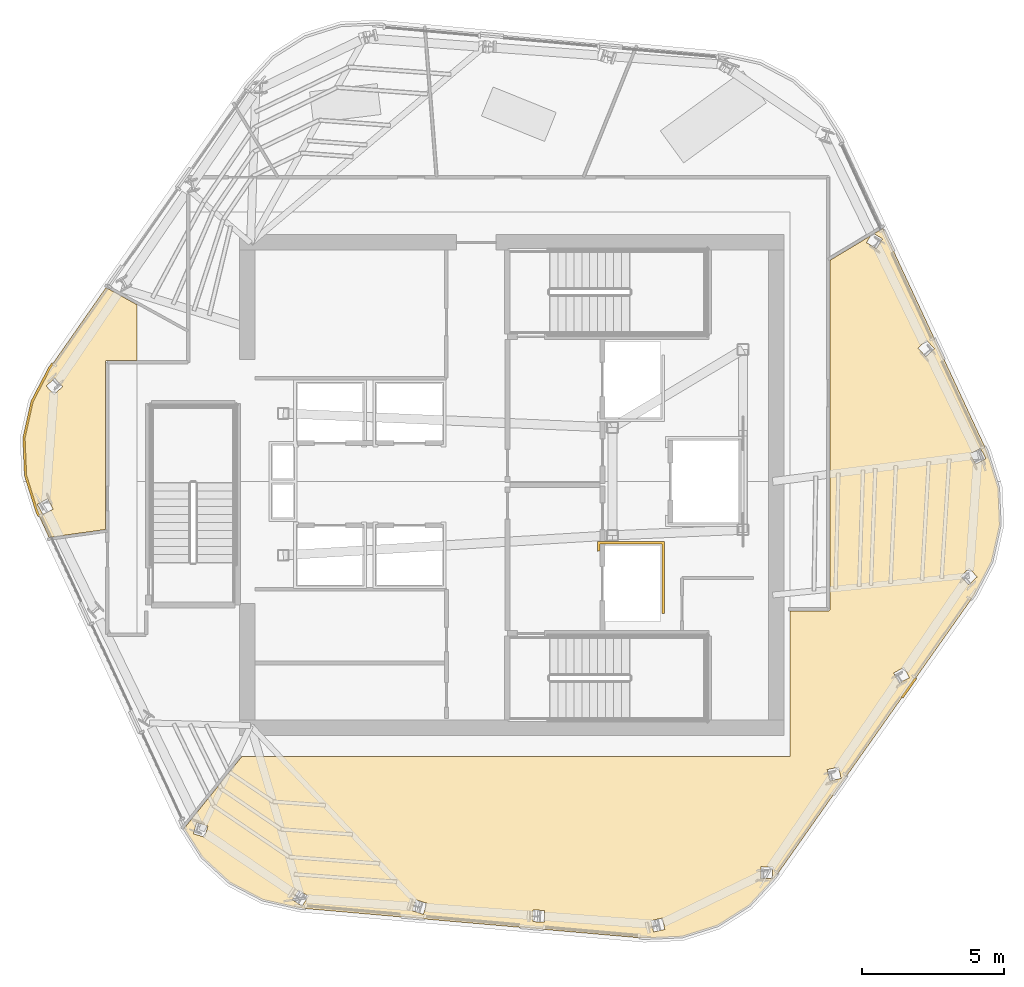
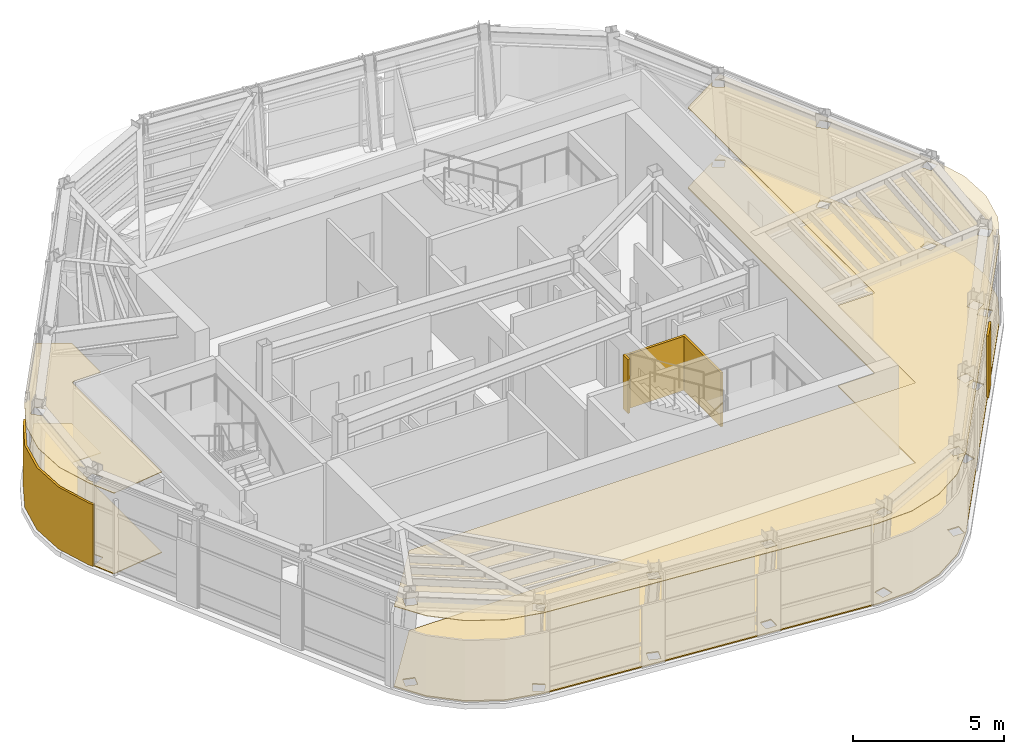
# One storey, part 9 of 12: 7 coverings.
"""IFC4 building model written with IfcOpenShell, lengths in metres."""

from ifc_helpers import new_model, si_unit, direction, frame, origin, place, context, subcontext, project, spatial, polyline, outline, extrude, material, layer, layer_set, type_object, element, save


model = new_model("IFC4")

# Units and contexts
model_context = context("Model", 3, precision=1e-05, world=origin(), true_north=direction((0.0, 1.0)))
body_context = subcontext(model_context, "Body", "Model", "MODEL_VIEW")
ifc_project = project(units=[si_unit("LENGTHUNIT", "METRE"), si_unit("AREAUNIT", "SQUARE_METRE"), si_unit("VOLUMEUNIT", "CUBIC_METRE"), si_unit("PLANEANGLEUNIT", "RADIAN"), si_unit("MASSUNIT", "GRAM", prefix="KILO")], contexts=[model_context])

# Site, building, storey
site_placement = place(None, origin())
site = spatial("IfcSite", under=ifc_project, at=site_placement, CompositionType="ELEMENT")
building_placement = place(site_placement, origin())
building = spatial("IfcBuilding", under=site, at=building_placement, Name="Valkerne Bourse Tower", CompositionType="ELEMENT")
storey_placement = place(building_placement, frame((0.0, 0.0, 262.199951171875)))
storey = spatial("IfcBuildingStorey", under=building, at=storey_placement, Name="L66", CompositionType="ELEMENT", Elevation=262.199951171875)

# Coverings
ifc_material_1 = material(Name="Mineral Fiber Acoustic Ceiling Tile", Category="acoustic")
ifc_layer_1 = layer(ifc_material_1, 0.02490234375)
ifc_layer_set_1 = layer_set([ifc_layer_1], Name="Mineral Fiber Acoustic Ceiling Tile")
covering_type_1 = type_object("IfcCoveringType", Name="COV-CEIL-ACT", PredefinedType="CEILING", material=ifc_layer_set_1)
covering_1_placement = place(storey_placement, frame((0.0, 0.0, 3.25)))
element("IfcCovering", 1, at=covering_1_placement, inside=storey, type_object=covering_type_1, Name="L66 Suspended Ceiling 03", PredefinedType="CEILING", context=body_context, shape_type="SweptSolid", body=[
    extrude(outline(polyline([(29.617919921875, 28.533447265625), (29.90576171875, 29.8212890625), (30.521484375, 30.9990234375), (32.5048828125, 33.830810546875), (32.964111328125, 33.577392578125), (32.97607421875, 33.5546875), (32.99072265625, 33.5625), (33.60009765625, 33.226318359375), (33.60009765625, 31.26904296875), (32.54931640625, 31.26904296875), (32.50927734375, 31.255859375), (32.485107421875, 31.2236328125), (32.48095703125, 25.30712890625), (30.49462890625, 25.029296875), (30.07080078125, 25.94677734375), (29.67333984375, 27.215087890625), (29.617919921875, 28.533447265625)]), holes=[polyline([(30.639892578125, 26.02392578125), (30.44970703125, 26.385498046875), (30.089599609375, 26.197021484375), (30.089599609375, 26.194580078125), (30.27978515625, 25.8330078125), (30.639892578125, 26.021484375), (30.639892578125, 26.02392578125)]), polyline([(30.974365234375, 30.34375), (30.69775390625, 30.6416015625), (30.397705078125, 30.3642578125), (30.397216796875, 30.36181640625), (30.673828125, 30.06396484375), (30.973876953125, 30.341552734375), (30.974365234375, 30.34375)])]), origin(), (0.0, 0.0, 1.0), 0.025146484375),
])
covering_2_placement = place(storey_placement, frame((0.0, 0.0, 3.25)))
element("IfcCovering", 2, at=covering_2_placement, inside=storey, type_object=covering_type_1, Name="L66 Suspended Ceiling 07", PredefinedType="CEILING", context=body_context, shape_type="SweptSolid", body=[
    extrude(outline(polyline([(63.71728515625, 24.1767578125), (63.101806640625, 22.9990234375), (56.076904296875, 13.038818359375), (55.177001953125, 12.060302734375), (54.06298828125, 11.353271484375), (52.8037109375, 10.95849609375), (51.475830078125, 10.903076171875), (39.333984375, 11.96630859375), (38.037109375, 12.25634765625), (36.86767578125, 12.86767578125), (35.896240234375, 13.7607421875), (35.255126953125, 14.77099609375), (37.2861328125, 17.300048828125), (56.60009765625, 17.300048828125), (56.60009765625, 22.430908203125), (57.95361328125, 22.43115234375), (57.9970703125, 22.44921875), (58.018798828125, 22.495361328125), (58.01904296875, 34.7939453125), (59.45458984375, 35.660888671875), (59.303955078125, 35.418701171875), (59.30517578125, 35.4169921875), (59.65234375, 35.20166015625), (59.8671875, 35.546875), (59.865966796875, 35.548583984375), (59.5712890625, 35.7314453125), (59.8837890625, 35.920166015625), (63.552490234375, 28.051025390625), (63.949951171875, 26.78271484375), (64.005126953125, 25.464599609375), (63.71728515625, 24.1767578125)]), holes=[polyline([(43.423095703125, 12.260009765625), (43.421142578125, 12.260498046875), (43.297119140625, 11.870361328125), (43.68408203125, 11.747314453125), (43.686279296875, 11.746826171875), (43.81005859375, 12.136962890625), (43.423095703125, 12.260009765625)]), polyline([(39.292724609375, 12.602294921875), (39.29052734375, 12.603515625), (39.07177734375, 12.257568359375), (39.41455078125, 12.040283203125), (39.416748046875, 12.039306640625), (39.635498046875, 12.38525390625), (39.292724609375, 12.602294921875)]), polyline([(36.09375, 14.855712890625), (35.703369140625, 14.976318359375), (35.5830078125, 14.587890625), (35.584716796875, 14.586181640625), (35.97509765625, 14.4658203125), (36.095703125, 14.854248046875), (36.09375, 14.855712890625)]), polyline([(52.197998046875, 11.214111328125), (52.10693359375, 11.61328125), (51.711181640625, 11.523193359375), (51.708984375, 11.5224609375), (51.800048828125, 11.123291015625), (52.19580078125, 11.21337890625), (52.197998046875, 11.214111328125)]), polyline([(47.964111328125, 11.8837890625), (47.558349609375, 11.897216796875), (47.55615234375, 11.89697265625), (47.54296875, 11.48779296875), (47.94873046875, 11.474609375), (47.950927734375, 11.474853515625), (47.964111328125, 11.8837890625)]), polyline([(56.002197265625, 13.4072265625), (55.59375, 13.42431640625), (55.591796875, 13.4228515625), (55.57568359375, 13.0166015625), (55.98388671875, 12.999755859375), (55.986083984375, 13.0009765625), (56.002197265625, 13.4072265625)]), polyline([(58.408203125, 16.536376953125), (58.32080078125, 16.933349609375), (57.92138671875, 16.84619140625), (57.919921875, 16.844482421875), (58.00732421875, 16.447509765625), (58.40673828125, 16.53466796875), (58.408203125, 16.536376953125)]), polyline([(60.81591796875, 20.0869140625), (60.623779296875, 20.4453125), (60.26318359375, 20.252685546875), (60.26220703125, 20.250732421875), (60.454345703125, 19.892578125), (60.81494140625, 20.0849609375), (60.81591796875, 20.0869140625)]), polyline([(63.202880859375, 23.63818359375), (62.92626953125, 23.93603515625), (62.626220703125, 23.658447265625), (62.625732421875, 23.65625), (62.90234375, 23.3583984375), (63.202392578125, 23.6357421875), (63.202880859375, 23.63818359375)]), polyline([(63.510498046875, 27.805419921875), (63.3203125, 28.1669921875), (62.9599609375, 27.978515625), (62.960205078125, 27.97607421875), (63.150146484375, 27.614501953125), (63.510498046875, 27.802978515625), (63.510498046875, 27.805419921875)]), polyline([(61.6982421875, 31.673828125), (61.422607421875, 31.9755859375), (61.121826171875, 31.701904296875), (61.12255859375, 31.69970703125), (61.398193359375, 31.39794921875), (61.698974609375, 31.671630859375), (61.6982421875, 31.673828125)])]), origin(), (0.0, 0.0, 1.0), 0.025146484375),
])
ifc_material_2 = material(Name="Bronze Anodised Aluminium AA 6063-T6", Category="aluminium")
ifc_layer_2 = layer(ifc_material_2, 0.06005859375)
ifc_layer_set_2 = layer_set([ifc_layer_2], Name="Bronze Anodised Aluminium AA 6063-T6")
covering_type_2 = type_object("IfcCoveringType", Name="COV-CRN-ALUM", PredefinedType="CLADDING", material=ifc_layer_set_2)
covering_3_placement = place(storey_placement, origin())
element("IfcCovering", 3, at=covering_3_placement, inside=storey, type_object=covering_type_2, Name="L66 Wind-Shaped Corner Aluminium Cladding 02", PredefinedType="CLADDING", context=body_context, shape_type="SweptSolid", body=[
    extrude(outline(polyline([(60.593505859375, 19.366455078125), (60.528076171875, 19.41259765625), (61.01220703125, 20.098876953125), (61.07763671875, 20.052978515625), (60.593505859375, 19.366455078125)])), origin(), (0.0, 0.0, 1.0), 2.5),
])
covering_4_placement = place(storey_placement, origin())
element("IfcCovering", 4, at=covering_4_placement, inside=storey, type_object=covering_type_2, Name="L66 Wind-Shaped Corner Aluminium Cladding 10", PredefinedType="CLADDING", context=body_context, shape_type="SweptSolid", body=[
    extrude(outline(polyline([(30.029541015625, 25.930908203125), (29.629638671875, 27.20751953125), (29.57373046875, 28.537353515625), (29.864013671875, 29.83642578125), (30.48388671875, 31.02197265625), (30.5947265625, 31.180419921875), (30.66015625, 31.13427734375), (30.552490234375, 30.98046875), (29.93994140625, 29.80859375), (29.654052734375, 28.5302734375), (29.708984375, 27.22119140625), (30.1044921875, 25.959716796875), (30.18310546875, 25.789306640625), (30.110595703125, 25.755615234375), (30.029541015625, 25.930908203125)])), origin(), (0.0, 0.0, 1.0), 2.5),
])
ifc_material_3 = material(Name="Galvanised Painted Steel", Category="steel")
ifc_layer_3 = layer(ifc_material_3, 0.044921875)
ifc_layer_set_3 = layer_set([ifc_layer_3], Name="Galvanised Painted Steel")
covering_type_3 = type_object("IfcCoveringType", Name="COV-FLR-RAF", PredefinedType="FLOORING", material=ifc_layer_set_3)
covering_5_placement = place(storey_placement, origin())
element("IfcCovering", 5, at=covering_5_placement, inside=storey, type_object=covering_type_3, Name="L66 Floor Finish 07", PredefinedType="FLOORING", context=body_context, shape_type="SweptSolid", body=[
    extrude(outline(polyline([(63.71728515625, 24.1767578125), (63.101806640625, 22.9990234375), (56.076904296875, 13.038818359375), (55.177001953125, 12.060302734375), (54.06298828125, 11.353271484375), (52.8037109375, 10.95849609375), (51.475830078125, 10.903076171875), (39.333984375, 11.96630859375), (38.037109375, 12.25634765625), (36.86767578125, 12.86767578125), (35.896240234375, 13.7607421875), (35.255126953125, 14.77099609375), (37.2861328125, 17.300048828125), (56.60009765625, 17.300048828125), (56.60009765625, 22.430908203125), (57.95361328125, 22.43115234375), (57.9970703125, 22.44921875), (58.018798828125, 22.495361328125), (58.01904296875, 34.7939453125), (59.45458984375, 35.660888671875), (59.303955078125, 35.418701171875), (59.30517578125, 35.4169921875), (59.65234375, 35.20166015625), (59.8671875, 35.546875), (59.865966796875, 35.548583984375), (59.5712890625, 35.7314453125), (59.8837890625, 35.920166015625), (63.552490234375, 28.051025390625), (63.949951171875, 26.78271484375), (64.005126953125, 25.464599609375), (63.71728515625, 24.1767578125)]), holes=[polyline([(43.423095703125, 12.260009765625), (43.421142578125, 12.260498046875), (43.297119140625, 11.870361328125), (43.68408203125, 11.747314453125), (43.686279296875, 11.746826171875), (43.81005859375, 12.136962890625), (43.423095703125, 12.260009765625)]), polyline([(39.292724609375, 12.602294921875), (39.29052734375, 12.603515625), (39.07177734375, 12.257568359375), (39.41455078125, 12.040283203125), (39.416748046875, 12.039306640625), (39.635498046875, 12.38525390625), (39.292724609375, 12.602294921875)]), polyline([(36.09375, 14.855712890625), (35.703369140625, 14.976318359375), (35.5830078125, 14.587890625), (35.584716796875, 14.586181640625), (35.97509765625, 14.4658203125), (36.095703125, 14.854248046875), (36.09375, 14.855712890625)]), polyline([(52.197998046875, 11.214111328125), (52.10693359375, 11.61328125), (51.711181640625, 11.523193359375), (51.708984375, 11.5224609375), (51.800048828125, 11.123291015625), (52.19580078125, 11.21337890625), (52.197998046875, 11.214111328125)]), polyline([(47.964111328125, 11.8837890625), (47.558349609375, 11.897216796875), (47.55615234375, 11.89697265625), (47.54296875, 11.48779296875), (47.94873046875, 11.474609375), (47.950927734375, 11.474853515625), (47.964111328125, 11.8837890625)]), polyline([(56.002197265625, 13.4072265625), (55.59375, 13.42431640625), (55.591796875, 13.4228515625), (55.57568359375, 13.0166015625), (55.98388671875, 12.999755859375), (55.986083984375, 13.0009765625), (56.002197265625, 13.4072265625)]), polyline([(58.408203125, 16.536376953125), (58.32080078125, 16.933349609375), (57.92138671875, 16.84619140625), (57.919921875, 16.844482421875), (58.00732421875, 16.447509765625), (58.40673828125, 16.53466796875), (58.408203125, 16.536376953125)]), polyline([(60.81591796875, 20.0869140625), (60.623779296875, 20.4453125), (60.26318359375, 20.252685546875), (60.26220703125, 20.250732421875), (60.454345703125, 19.892578125), (60.81494140625, 20.0849609375), (60.81591796875, 20.0869140625)]), polyline([(63.202880859375, 23.63818359375), (62.92626953125, 23.93603515625), (62.626220703125, 23.658447265625), (62.625732421875, 23.65625), (62.90234375, 23.3583984375), (63.202392578125, 23.6357421875), (63.202880859375, 23.63818359375)]), polyline([(63.510498046875, 27.805419921875), (63.3203125, 28.1669921875), (62.9599609375, 27.978515625), (62.960205078125, 27.97607421875), (63.150146484375, 27.614501953125), (63.510498046875, 27.802978515625), (63.510498046875, 27.805419921875)]), polyline([(61.6982421875, 31.673828125), (61.422607421875, 31.9755859375), (61.121826171875, 31.701904296875), (61.12255859375, 31.69970703125), (61.398193359375, 31.39794921875), (61.698974609375, 31.671630859375), (61.6982421875, 31.673828125)])]), origin(), (0.0, 0.0, 1.0), 0.045166015625),
])
ifc_material_4 = material(Name="Polished Granite Stone", Category="masonry")
ifc_layer_4 = layer(ifc_material_4, 0.030029296875)
ifc_layer_set_4 = layer_set([ifc_layer_4], Name="Polished Granite Stone")
covering_type_4 = type_object("IfcCoveringType", Name="COV-FLR-TERRAZZO", PredefinedType="FLOORING", material=ifc_layer_set_4)
covering_6_placement = place(storey_placement, origin())
element("IfcCovering", 6, at=covering_6_placement, inside=storey, type_object=covering_type_4, Name="L66 Floor Finish 03", PredefinedType="FLOORING", context=body_context, shape_type="SweptSolid", body=[
    extrude(outline(polyline([(29.617919921875, 28.533447265625), (29.90576171875, 29.8212890625), (30.521484375, 30.9990234375), (32.5048828125, 33.830810546875), (32.964111328125, 33.577392578125), (32.97607421875, 33.5546875), (32.99072265625, 33.5625), (33.60009765625, 33.226318359375), (33.60009765625, 31.26904296875), (32.54931640625, 31.26904296875), (32.50927734375, 31.255859375), (32.485107421875, 31.2236328125), (32.48095703125, 25.30712890625), (30.49462890625, 25.029296875), (30.07080078125, 25.94677734375), (29.67333984375, 27.215087890625), (29.617919921875, 28.533447265625)]), holes=[polyline([(30.639892578125, 26.02392578125), (30.44970703125, 26.385498046875), (30.089599609375, 26.197021484375), (30.089599609375, 26.194580078125), (30.27978515625, 25.8330078125), (30.639892578125, 26.021484375), (30.639892578125, 26.02392578125)]), polyline([(30.974365234375, 30.34375), (30.69775390625, 30.6416015625), (30.397705078125, 30.3642578125), (30.397216796875, 30.36181640625), (30.673828125, 30.06396484375), (30.973876953125, 30.341552734375), (30.974365234375, 30.34375)])]), origin(), (0.0, 0.0, 1.0), 0.030029296875),
])
ifc_material_5 = material(Name="Gypsum Shaftwall Liner Board", Category="gypsum")
ifc_layer_5 = layer(ifc_material_5, 0.080078125)
ifc_layer_set_5 = layer_set([ifc_layer_5], Name="Gypsum Shaftwall Liner Board")
covering_type_5 = type_object("IfcCoveringType", Name="COV-SHF-CLAD", PredefinedType="CLADDING", material=ifc_layer_set_5)
covering_7_placement = place(storey_placement, origin())
element("IfcCovering", 7, at=covering_7_placement, inside=storey, type_object=covering_type_5, Name="L66 Hoistway & Riser Shaftwall Liner 01", PredefinedType="CLADDING", context=body_context, shape_type="SweptSolid", body=[
    extrude(outline(polyline([(52.179931640625, 24.8798828125), (52.179931640625, 22.35009765625), (52.090087890625, 22.35009765625), (52.090087890625, 24.7900390625), (49.909912109375, 24.7900390625), (49.909912109375, 24.560791015625), (49.869384765625, 24.550537109375), (49.827880859375, 24.53564453125), (49.820068359375, 24.531982421875), (49.820068359375, 24.8798828125), (52.179931640625, 24.8798828125)])), origin(), (0.0, 0.0, 1.0), 2.179931640625),
])

save(model, "model.ifc")
